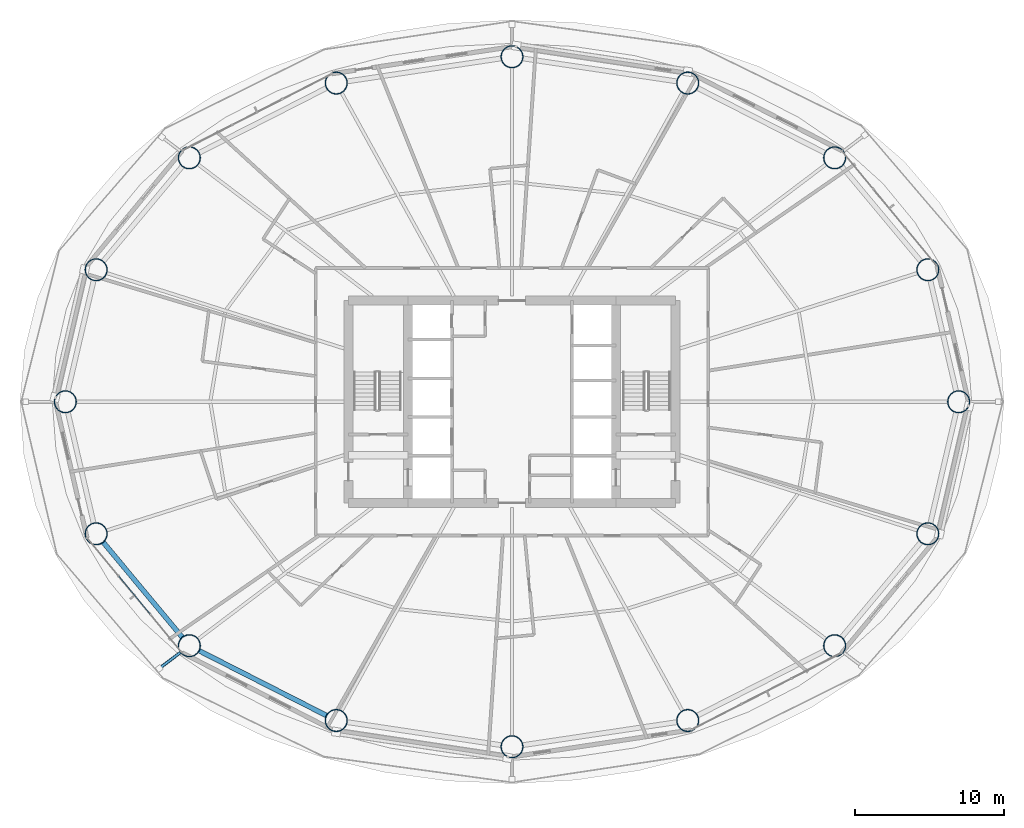
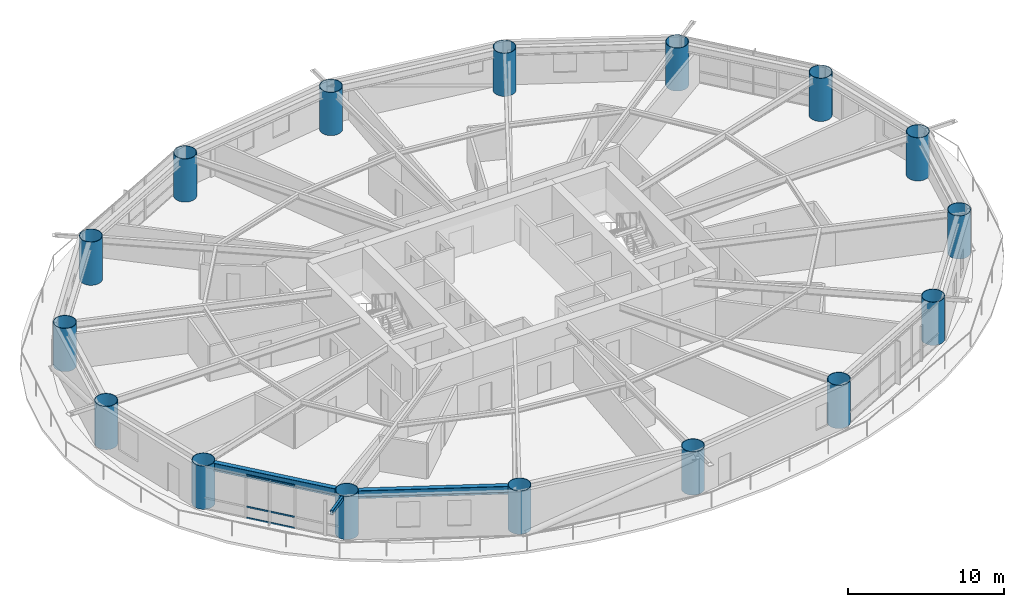
# One storey, part 1 of 28: 16 columns, 4 members, 2 beams, 1 element without a shape of its own.
"""IFC4 building model written with IfcOpenShell, lengths in metres."""

from ifc_helpers import new_model, si_unit, direction, frame, origin, origin_2d, place, context, subcontext, project, spatial, hollow_rectangle, hollow_circle, i_section, extrude, material, layer, layer_set, material_profile, profile_set, type_object, element, aggregate, save


model = new_model("IFC4")

# Units and contexts
model_context = context("Model", 3, precision=1e-05, world=origin(), true_north=direction((0.0, 1.0)))
body_context = subcontext(model_context, "Body", "Model", "MODEL_VIEW")
ifc_project = project(units=[si_unit("LENGTHUNIT", "METRE"), si_unit("AREAUNIT", "SQUARE_METRE"), si_unit("VOLUMEUNIT", "CUBIC_METRE"), si_unit("PLANEANGLEUNIT", "RADIAN"), si_unit("MASSUNIT", "GRAM", prefix="KILO")], contexts=[model_context])

# Site, building, storey
site_placement = place(None, origin())
site = spatial("IfcSite", under=ifc_project, at=site_placement, CompositionType="ELEMENT")
building_placement = place(site_placement, origin())
building = spatial("IfcBuilding", under=site, at=building_placement, Name="Sarneth Arch Tower", CompositionType="ELEMENT")
storey_placement = place(building_placement, frame((0.0, 0.0, 67.800048828125)))
storey = spatial("IfcBuildingStorey", under=building, at=storey_placement, Name="L16", CompositionType="ELEMENT", Elevation=67.800048828125)

# Columns
ifc_material_1 = material(Name="Steel S355", Category="steel")
ifc_material_profile_1 = material_profile(ifc_material_1, hollow_circle(Radius=0.75, WallThickness=0.0400390625, at=origin_2d()), Name="CHS1500x40")
ifc_profile_set_1 = profile_set([ifc_material_profile_1], Name="Steel S355")
column_type = type_object("IfcColumnType", Name="COL-MEGA-1500", PredefinedType="COLUMN", material=ifc_profile_set_1)
for number, where, z_axis, x_axis, name in (
    (1, (78.034912109375, 42.0, 0.0), (0.0, 0.0, 1.0), (1.0, 0.0, 0.0), "L16 Perimeter mega-column M01"),
    (2, (75.965576171875, 50.878173828125, 0.0), (0.0, 0.0, 1.0), (1.0, 0.0, 0.0), "L16 Perimeter mega-column M02"),
    (3, (69.696533203125, 58.40478515625, 0.0), (0.0, 0.0, 1.0), (1.0, 0.0, 0.0), "L16 Perimeter mega-column M03"),
    (4, (59.81787109375, 63.43408203125, 0.0), (0.0, 0.0, 1.0), (1.0, 0.0, 0.0), "L16 Perimeter mega-column M04"),
    (5, (48.0, 65.199951171875, 0.0), (0.0, 0.0, 1.0), (1.0, 0.0, 0.0), "L16 Perimeter mega-column M05"),
    (6, (36.18212890625, 63.43408203125, 0.0), (0.0, 0.0, 1.0), (1.0, 0.0, 0.0), "L16 Perimeter mega-column M06"),
    (7, (26.303466796875, 58.40478515625, 0.0), (0.0, 0.0, 1.0), (1.0, 0.0, 0.0), "L16 Perimeter mega-column M07"),
    (8, (20.034423828125, 50.878173828125, 0.0), (0.0, 0.0, 1.0), (1.0, 0.0, 0.0), "L16 Perimeter mega-column M08"),
    (9, (17.965087890625, 42.0, 0.0), (0.0, 0.0, 1.0), (1.0, 0.0, 0.0), "L16 Perimeter mega-column M09"),
    (10, (20.034423828125, 33.121826171875, 0.0), (0.0, 0.0, 1.0), (1.0, 0.0, 0.0), "L16 Perimeter mega-column M10"),
    (11, (26.303466796875, 25.59521484375, 0.0), (0.0, 0.0, 1.0), (1.0, 0.0, 0.0), "L16 Perimeter mega-column M11"),
    (12, (36.18212890625, 20.56591796875, 0.0), (0.0, 0.0, 1.0), (1.0, 0.0, 0.0), "L16 Perimeter mega-column M12"),
    (13, (48.0, 18.800048828125, 0.0), (0.0, 0.0, 1.0), (1.0, 0.0, 0.0), "L16 Perimeter mega-column M13"),
    (14, (59.81787109375, 20.56591796875, 0.0), (0.0, 0.0, 1.0), (1.0, 0.0, 0.0), "L16 Perimeter mega-column M14"),
    (15, (69.696533203125, 25.59521484375, 0.0), (0.0, 0.0, 1.0), (1.0, 0.0, 0.0), "L16 Perimeter mega-column M15"),
    (16, (75.965576171875, 33.121826171875, 0.0), (0.0, 0.0, 1.0), (1.0, 0.0, 0.0), "L16 Perimeter mega-column M16"),
):
    element("IfcColumn", number, at=place(storey_placement, frame(where, z_axis=z_axis, x_axis=x_axis)), inside=storey, type_object=column_type, Name=name, PredefinedType="COLUMN", context=body_context, shape_type="SweptSolid", body=[
        extrude(hollow_circle(Radius=0.75, WallThickness=0.0400390625, at=origin_2d()), origin(), (0.0, 0.0, 1.0), 3.3798828125),
    ])

# Beams
ifc_material_2 = material(Name="Steel S355", Category="steel")
ifc_material_profile_2 = material_profile(ifc_material_2, i_section(OverallWidth=0.326904296875, OverallDepth=0.6220703125, WebThickness=0.015380859375, FlangeThickness=0.0244140625, FilletRadius=0.01904296875, at=origin_2d()), Name="W610x195")
ifc_profile_set_2 = profile_set([ifc_material_profile_2], Name="Steel S355")
beam_type = type_object("IfcBeamType", Name="BM-SPAN-610A", PredefinedType="SPANDREL", material=ifc_profile_set_2)
beam_1_placement = place(storey_placement, frame((20.514404296875, 32.54541015625, 3.06884765625), z_axis=(0.639981736251, -0.768390120489, 0.0), x_axis=(0.768390120489, 0.639981736251, 0.0)))
element("IfcBeam", 17, at=beam_1_placement, inside=storey, type_object=beam_type, Name="L16 Perimeter spandrel beam 10", PredefinedType="SPANDREL", context=body_context, shape_type="SweptSolid", body=[
    extrude(i_section(OverallWidth=0.326904296875, OverallDepth=0.6220703125, WebThickness=0.015380859375, FlangeThickness=0.0244140625, FilletRadius=0.01904296875, at=origin_2d()), origin(), (0.0, 0.0, 1.0), 8.29541015625),
])
beam_2_placement = place(storey_placement, frame((26.9716796875, 25.2548828125, 3.06884765625), z_axis=(0.891169106887, -0.453671271882, 0.0), x_axis=(0.453671271882, 0.891169106887, 0.0)))
element("IfcBeam", 18, at=beam_2_placement, inside=storey, type_object=beam_type, Name="L16 Perimeter spandrel beam 11", PredefinedType="SPANDREL", context=body_context, shape_type="SweptSolid", body=[
    extrude(i_section(OverallWidth=0.326904296875, OverallDepth=0.6220703125, WebThickness=0.015380859375, FlangeThickness=0.0244140625, FilletRadius=0.01904296875, at=origin_2d()), origin(), (0.0, 0.0, 1.0), 9.58544921875),
])

# Curtain wall, members
ifc_material_3 = material(Name="Anodised aluminium Type AA25 and solar-control low-e laminated IGU", Category="aluminium")
ifc_layer = layer(ifc_material_3, 0.159912109375)
ifc_layer_set = layer_set([ifc_layer], Name="Anodised aluminium Type AA25 and solar-control low-e laminated IGU")
curtain_wall_type = type_object("IfcCurtainWallType", Name="CW-HOTEL-LOW", PredefinedType="NOTDEFINED", material=ifc_layer_set)
curtain_wall_placement = place(storey_placement, origin())
curtain_wall = element("IfcCurtainWall", 19, at=curtain_wall_placement, inside=storey, type_object=curtain_wall_type, Name="L16 Unitised curtain wall facet 10", PredefinedType="NOTDEFINED")
ifc_material_4 = material(Name="Anodised Aluminium 6063-T6", Category="aluminium")
ifc_material_profile_3 = material_profile(ifc_material_4, hollow_rectangle(XDim=0.06005859375, YDim=0.1201171875, WallThickness=0.00390625, at=origin_2d()), Name="AL-TRAN-120x60x4")
ifc_profile_set_3 = profile_set([ifc_material_profile_3], Name="Anodised Aluminium 6063-T6")
member_type_1 = type_object("IfcMemberType", Name="CW-TRANSOM", PredefinedType="USERDEFINED", material=ifc_profile_set_3)
member_1_placement = place(storey_placement, frame((21.57373046875, 30.256103515625, 0.030029296875), z_axis=(0.637268595771, -0.770641769465, 0.0), x_axis=(0.770641769465, 0.637268595771, 0.0)))
member_1 = element("IfcMember", 20, at=member_1_placement, type_object=member_type_1, Name="CW-SYS-3 transom 2.1", ObjectType="TRANSOM", PredefinedType="USERDEFINED", context=body_context, shape_type="SweptSolid", body=[
    extrude(hollow_rectangle(XDim=0.06005859375, YDim=0.1201171875, WallThickness=0.00390625, at=origin_2d()), origin(), (0.0, 0.0, 1.0), 3.291259765625),
])
member_2_placement = place(storey_placement, frame((21.57373046875, 30.256103515625, 0.89990234375), z_axis=(0.637268595771, -0.770641769465, 0.0), x_axis=(0.770641769465, 0.637268595771, 0.0)))
member_2 = element("IfcMember", 21, at=member_2_placement, type_object=member_type_1, Name="CW-SYS-3 transom 2.2", ObjectType="TRANSOM", PredefinedType="USERDEFINED", context=body_context, shape_type="SweptSolid", body=[
    extrude(hollow_rectangle(XDim=0.06005859375, YDim=0.1201171875, WallThickness=0.00390625, at=origin_2d()), origin(), (0.0, 0.0, 1.0), 3.291259765625),
])
member_3_placement = place(storey_placement, frame((21.57373046875, 30.256103515625, 3.349853515625), z_axis=(0.637268595771, -0.770641769465, 0.0), x_axis=(0.770641769465, 0.637268595771, 0.0)))
member_3 = element("IfcMember", 22, at=member_3_placement, type_object=member_type_1, Name="CW-SYS-3 transom 2.3", ObjectType="TRANSOM", PredefinedType="USERDEFINED", context=body_context, shape_type="SweptSolid", body=[
    extrude(hollow_rectangle(XDim=0.06005859375, YDim=0.1201171875, WallThickness=0.00390625, at=origin_2d()), origin(), (0.0, 0.0, 1.0), 3.291259765625),
])
aggregate(curtain_wall, [member_1, member_2, member_3])

# Member
ifc_material_5 = material(Name="Steel S355", Category="steel")
ifc_material_profile_4 = material_profile(ifc_material_5, hollow_rectangle(XDim=0.199951171875, YDim=0.300048828125, WallThickness=0.012451171875, InnerFilletRadius=0.018798828125, OuterFilletRadius=0.03125, at=origin_2d()), Name="RHS300x200x12.5")
ifc_profile_set_4 = profile_set([ifc_material_profile_4], Name="Steel S355")
member_type_2 = type_object("IfcMemberType", Name="MEM-CANT-STRUT", PredefinedType="STRUT", material=ifc_profile_set_4)
member_4_placement = place(storey_placement, frame((25.705078125, 25.142822265625, 3.219970703125), z_axis=(-0.797665744008, -0.603099793431, 0.0), x_axis=(0.603099793431, -0.797665744008, 0.0)))
element("IfcMember", 23, at=member_4_placement, inside=storey, type_object=member_type_2, Name="L16 Balcony cantilever bracket 11", PredefinedType="STRUT", context=body_context, shape_type="SweptSolid", body=[
    extrude(hollow_rectangle(XDim=0.199951171875, YDim=0.300048828125, WallThickness=0.012451171875, InnerFilletRadius=0.018798828125, OuterFilletRadius=0.03125, at=origin_2d()), origin(), (0.0, 0.0, 1.0), 1.786865234375),
])

save(model, "model.ifc")
